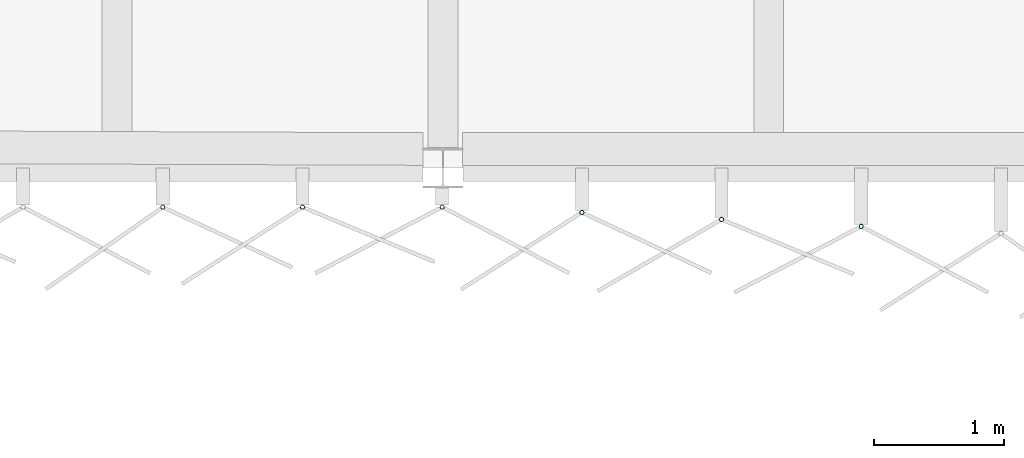
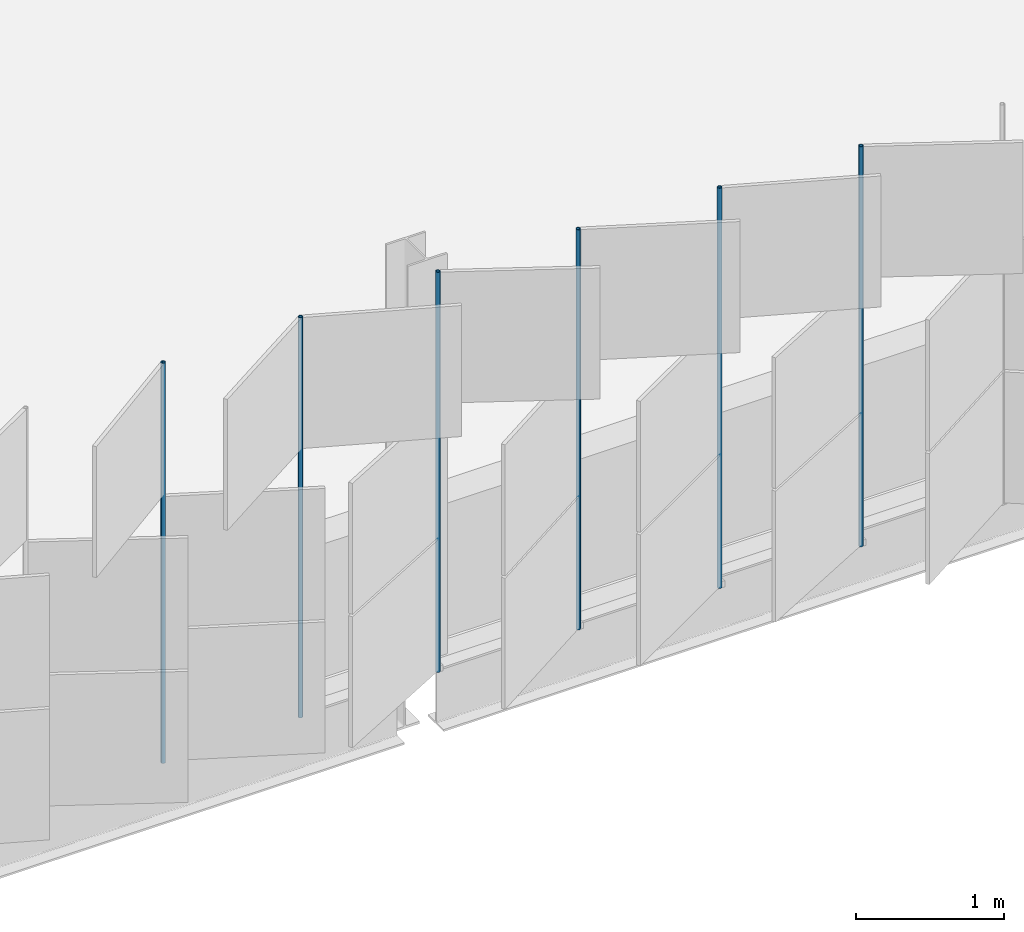
# One storey, part 106 of 198: 6 discrete accessories.
"""IFC4 building model written with IfcOpenShell, lengths in metres."""

from ifc_helpers import new_model, si_unit, direction, frame, origin, origin_2d, place, context, subcontext, project, spatial, hollow_circle, extrude, material, material_profile, profile_set, type_object, element, save


model = new_model("IFC4")

# Units and contexts
model_context = context("Model", 3, precision=1e-05, world=origin(), true_north=direction((0.0, 1.0)))
body_context = subcontext(model_context, "Body", "Model", "MODEL_VIEW")
ifc_project = project(units=[si_unit("LENGTHUNIT", "METRE"), si_unit("AREAUNIT", "SQUARE_METRE"), si_unit("VOLUMEUNIT", "CUBIC_METRE"), si_unit("PLANEANGLEUNIT", "RADIAN"), si_unit("MASSUNIT", "GRAM", prefix="KILO")], contexts=[model_context])

# Site, building, storey
site_placement = place(None, origin())
site = spatial("IfcSite", under=ifc_project, at=site_placement, CompositionType="ELEMENT")
building_placement = place(site_placement, origin())
building = spatial("IfcBuilding", under=site, at=building_placement, Name="Parallax Yard Mobility Hub", CompositionType="ELEMENT")
storey_placement = place(building_placement, frame((0.0, 0.0, 6.60009765625)))
storey = spatial("IfcBuildingStorey", under=building, at=storey_placement, Name="L02", CompositionType="ELEMENT", Elevation=6.60009765625)

# Discrete accessories
ifc_material = material(Name="Steel ASTM A500 Gr C, hot-dip galvanised", Category="steel")
ifc_material_profile = material_profile(ifc_material, hollow_circle(Radius=0.016845703125, WallThickness=0.003173828125, at=origin_2d()), Name="CHS 33.7x3.2")
ifc_profile_set = profile_set([ifc_material_profile], Name="Steel ASTM A500 Gr C, hot-dip galvanised")
discrete_accessory_type = type_object("IfcDiscreteAccessoryType", Name="Hinge post CHS 33.7x3.2", PredefinedType="BRACKET", material=ifc_profile_set)
for number, where, z_axis, x_axis, name in (
    (1, (155.35107421875, 112.199951171875, 0.0), (0.0, 0.0, 1.0), (1.0, 0.0, 0.0), "Hinge post bay 15.6 level L02"),
    (2, (156.422607421875, 112.199951171875, 0.0), (0.0, 0.0, 1.0), (1.0, 0.0, 0.0), "Hinge post bay 15.7 level L02"),
    (3, (157.494140625, 112.199951171875, 0.0), (0.0, 0.0, 1.0), (1.0, 0.0, 0.0), "Hinge post bay 16.1 level L02"),
    (4, (158.565673828125, 112.158935546875, 0.0), (0.0, 0.0, 1.0), (1.0, 0.0, 0.0), "Hinge post bay 16.2 level L02"),
    (5, (159.63720703125, 112.10546875, 0.0), (0.0, 0.0, 1.0), (1.0, 0.0, 0.0), "Hinge post bay 16.3 level L02"),
    (6, (160.70849609375, 112.0517578125, 0.0), (0.0, 0.0, 1.0), (1.0, 0.0, 0.0), "Hinge post bay 16.4 level L02"),
):
    element("IfcDiscreteAccessory", number, at=place(storey_placement, frame(where, z_axis=z_axis, x_axis=x_axis)), inside=storey, type_object=discrete_accessory_type, Name=name, PredefinedType="BRACKET", context=body_context, shape_type="SweptSolid", body=[
        extrude(hollow_circle(Radius=0.016845703125, WallThickness=0.003173828125, at=origin_2d()), origin(), (0.0, 0.0, 1.0), 3.2998046875),
    ])

save(model, "model.ifc")
